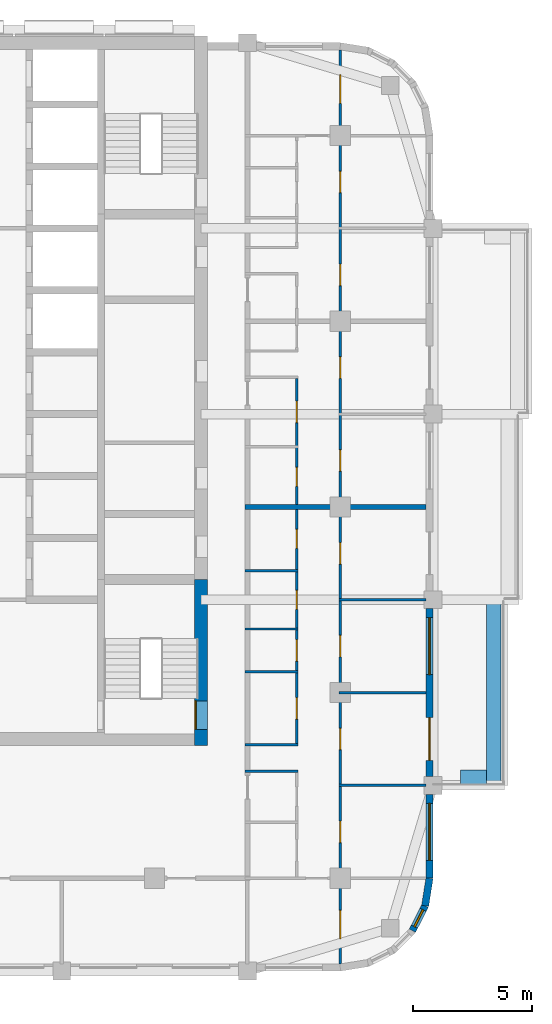
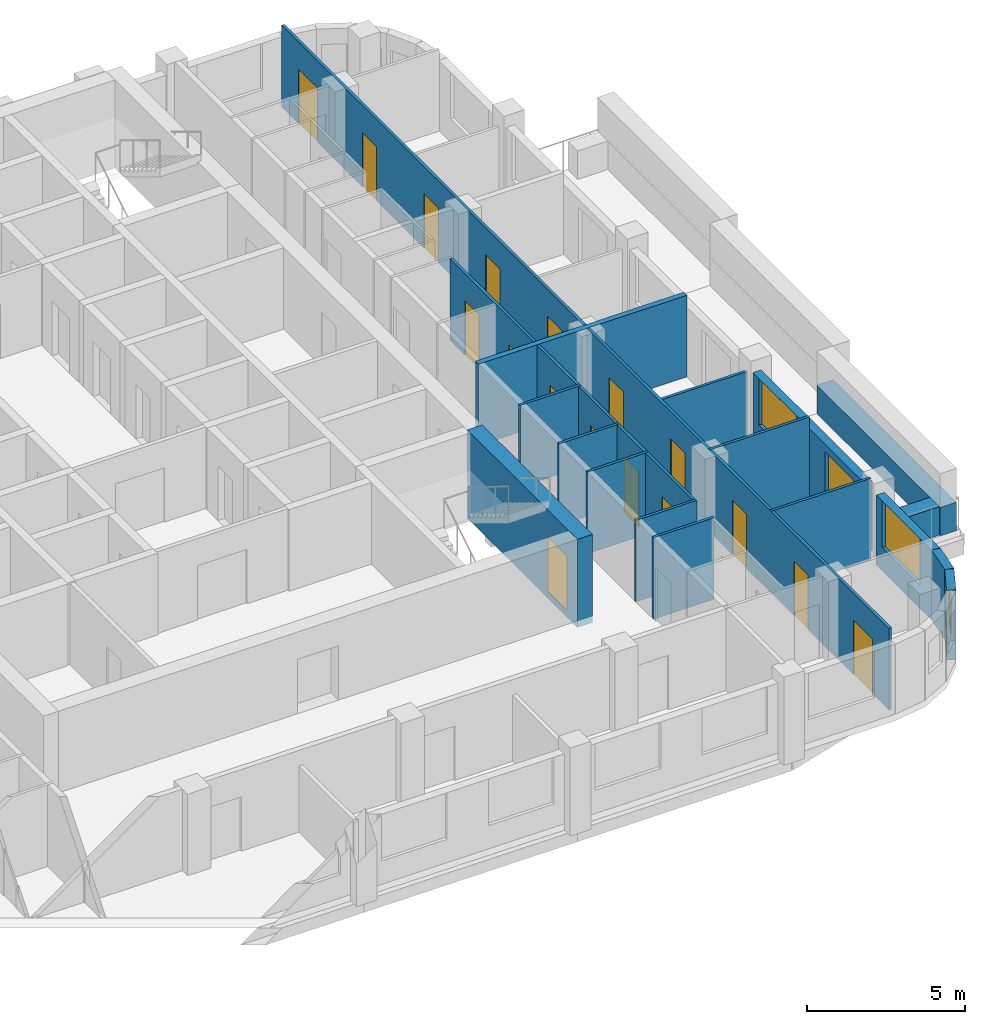
# One storey, part 6 of 13: 18 doors, 18 walls, 3 windows, 21 openings.
"""IFC4 building model written with IfcOpenShell, lengths in metres."""

import ifcopenshell
import ifcopenshell.guid

model = None  # the IFC model being written
_history = None  # IfcOwnerHistory: only IFC2X3 demands one
_inside = {}  # id of a spatial element -> (the spatial element, [elements in it])
_under = {}  # id of a project, library or spatial element -> (it, [spatial elements below it])
_declared = {}  # id of a project -> (the project, [libraries it declares])
_typed = {}  # id of a type object -> (the type object, [elements of that type])
_made_of = {}  # id of a material, layer set ... -> (it, [elements and type objects made of it])


def new_model(schema):
    """Start an empty IFC model of exactly this schema.

    Asked for "IFC4X3", IfcOpenShell would pick the latest addendum, in which some entities
    have other attributes; the version numbers below select the first issue.
    IFC2X3 requires an IfcOwnerHistory on every rooted entity: one is made here for all.
    """
    global model, _history
    if schema == "IFC4X3":
        model = ifcopenshell.file(schema_version=(4, 3, 0, 0))
    else:
        model = ifcopenshell.file(schema=schema)
    _inside.clear()
    _under.clear()
    _declared.clear()
    _typed.clear()
    _made_of.clear()
    _history = None
    if model.schema == "IFC2X3":
        org = make("IfcOrganization", Name="unknown")
        user = make(
            "IfcPersonAndOrganization",
            ThePerson=make("IfcPerson", FamilyName="unknown"),
            TheOrganization=org,
        )
        app = make(
            "IfcApplication",
            ApplicationDeveloper=org,
            Version="unknown",
            ApplicationFullName="unknown",
            ApplicationIdentifier="unknown",
        )
        _history = make(
            "IfcOwnerHistory",
            OwningUser=user,
            OwningApplication=app,
            ChangeAction="ADDED",
            CreationDate=0,
        )
    return model


def make(cls, **values):
    """One entity of the class cls with the attributes given. An attribute that is None is left unset."""
    return model.create_entity(
        cls, **{name: value for name, value in values.items() if value is not None}
    )


def rooted(cls, **values):
    """An entity with a GlobalId (a new one), such as an element, a storey or a relation."""
    return make(cls, GlobalId=ifcopenshell.guid.new(), OwnerHistory=_history, **values)


def si_unit(unit_type, name, prefix=None):
    """IfcSIUnit, for example si_unit("LENGTHUNIT", "METRE", prefix="MILLI")."""
    return make("IfcSIUnit", UnitType=unit_type, Prefix=prefix, Name=name)


def assignment(units):
    """IfcUnitAssignment: the units of a project."""
    return None if units is None else make("IfcUnitAssignment", Units=units)


def point(xyz):
    """IfcCartesianPoint."""
    return None if xyz is None else make("IfcCartesianPoint", Coordinates=xyz)


def direction(xyz):
    """IfcDirection."""
    return None if xyz is None else make("IfcDirection", DirectionRatios=xyz)


def frame(location, z_axis=None, x_axis=None):
    """IfcAxis2Placement3D, a coordinate frame: its origin and axes. An axis left out is left unset."""
    return make(
        "IfcAxis2Placement3D",
        Location=point(location),
        Axis=direction(z_axis),
        RefDirection=direction(x_axis),
    )


def frame_2d(location, x_axis=None):
    """IfcAxis2Placement2D, a coordinate frame in the plane: its origin and x axis."""
    return make(
        "IfcAxis2Placement2D", Location=point(location), RefDirection=direction(x_axis)
    )


def origin():
    """The frame at (0, 0, 0) with its axes left unset."""
    return frame((0.0, 0.0, 0.0))


def place(relative_to, where):
    """IfcLocalPlacement: puts the frame where relative to a parent placement (None: the world)."""
    return make(
        "IfcLocalPlacement", PlacementRelTo=relative_to, RelativePlacement=where
    )


def context(
    kind, dimensions, precision=None, world=None, true_north=None, identifier=None
):
    """IfcGeometricRepresentationContext, for example the 3D "Model" context."""
    return make(
        "IfcGeometricRepresentationContext",
        ContextIdentifier=identifier,
        ContextType=kind,
        CoordinateSpaceDimension=dimensions,
        Precision=precision,
        WorldCoordinateSystem=world,
        TrueNorth=true_north,
    )


def subcontext(parent, identifier, kind, view, scale=None):
    """IfcGeometricRepresentationSubContext, for example "Body" below "Model"."""
    return make(
        "IfcGeometricRepresentationSubContext",
        ContextIdentifier=identifier,
        ContextType=kind,
        ParentContext=parent,
        TargetScale=scale,
        TargetView=view,
    )


def project(units=None, contexts=None):
    """IfcProject with its units and contexts."""
    return rooted(
        "IfcProject",
        Name="project",
        RepresentationContexts=contexts,
        UnitsInContext=assignment(units),
    )


def spatial(cls, under=None, at=None, **own):
    """A site, building, storey or space (cls), placed at a placement, below another one or the project."""
    s = rooted(cls, ObjectPlacement=at, **own)
    if under is not None:
        _under.setdefault(under.id(), (under, []))[1].append(s)
    return s


def profile(cls, at=None, kind="AREA", **sizes):
    """A parametric profile (cls). Its sizes go by their IFC names, for example OverallWidth=200.0."""
    return make(cls, ProfileType=kind, Position=at, **sizes)


def rectangle(**sizes):
    """IfcRectangleProfileDef."""
    return profile("IfcRectangleProfileDef", **sizes)


def extrude(swept, where, along, depth):
    """IfcExtrudedAreaSolid: the profile swept, set in the frame where, extruded along a direction by depth."""
    return make(
        "IfcExtrudedAreaSolid",
        SweptArea=swept,
        Position=where,
        ExtrudedDirection=direction(along),
        Depth=depth,
    )


def shape(context_of_items, identifier, shape_type, items):
    """IfcShapeRepresentation: the items that make up one representation, for example the "Body"."""
    return make(
        "IfcShapeRepresentation",
        ContextOfItems=context_of_items,
        RepresentationIdentifier=identifier,
        RepresentationType=shape_type,
        Items=items,
    )


def material(Name=None, Category=None):
    """IfcMaterial."""
    return make("IfcMaterial", Name=Name, Category=Category)


def layer(
    of_material, thickness, ventilated=None, Name=None, Category=None, Priority=None
):
    """IfcMaterialLayer: one layer of a wall or slab, of a material (None: an air gap)."""
    return make(
        "IfcMaterialLayer",
        Material=of_material,
        LayerThickness=thickness,
        IsVentilated=ventilated,
        Name=Name,
        Category=Category,
        Priority=Priority,
    )


def layer_set(layers, Name=None):
    """IfcMaterialLayerSet."""
    return make("IfcMaterialLayerSet", MaterialLayers=layers, LayerSetName=Name)


def made_of(thing, what):
    """Note that an element or type object is made of a material, layer set ...; save() writes the relation."""
    if what is not None:
        _made_of.setdefault(what.id(), (what, []))[1].append(thing)
    return thing


def type_object(cls, material=None, **own):
    """A type object (cls), such as IfcWallType, which elements share."""
    return made_of(rooted(cls, **own), material)


def element(
    cls,
    number,
    at=None,
    inside=None,
    cuts=None,
    type_object=None,
    material=None,
    context=None,
    identifier="Body",
    shape_type=None,
    held_by="IfcProductDefinitionShape",
    body=None,
    shapes=None,
    **own,
):
    """One element of the class cls, such as IfcWall. Its Tag is "e" and its number.

    at: its placement. inside: the storey or other place that contains it. cuts: it is an
    opening in that element (IfcRelVoidsElement). A single representation is given by context,
    identifier, shape_type and body (its items); several are given by shapes. held_by: the class
    of the entity that holds the representations. save() writes the other relations.
    """
    e = rooted(cls, Tag="e%d" % number, ObjectPlacement=at, **own)
    if body is not None:
        shapes = [shape(context, identifier, shape_type, body)]
    if shapes is not None:
        e.Representation = make(held_by, Representations=shapes)
    if inside is not None:
        _inside.setdefault(inside.id(), (inside, []))[1].append(e)
    if cuts is not None:
        rooted(
            "IfcRelVoidsElement", RelatingBuildingElement=cuts, RelatedOpeningElement=e
        )
    if type_object is not None:
        _typed.setdefault(type_object.id(), (type_object, []))[1].append(e)
    return made_of(e, material)


def fill(opening, filler):
    """IfcRelFillsElement: the door or window that sits in an opening."""
    return rooted(
        "IfcRelFillsElement",
        RelatingOpeningElement=opening,
        RelatedBuildingElement=filler,
    )


def aggregate(whole, parts):
    """IfcRelAggregates: a whole, such as a stair, and the parts it consists of."""
    return rooted("IfcRelAggregates", RelatingObject=whole, RelatedObjects=parts)


def save(model, path):
    """Write the relations noted so far, then the file.

    IfcRelAggregates (storeys below a building ...), IfcRelContainedInSpatialStructure (elements
    in a storey), IfcRelDefinesByType, IfcRelAssociatesMaterial and IfcRelDeclares: one each for
    every whole, place, type object, material and project.
    """
    for whole, parts in _under.values():
        aggregate(whole, parts)
    for where, things in _inside.values():
        rooted(
            "IfcRelContainedInSpatialStructure",
            RelatedElements=things,
            RelatingStructure=where,
        )
    for kind, things in _typed.values():
        rooted("IfcRelDefinesByType", RelatedObjects=things, RelatingType=kind)
    for what, things in _made_of.values():
        rooted("IfcRelAssociatesMaterial", RelatedObjects=things, RelatingMaterial=what)
    for by, libraries in _declared.values():
        rooted("IfcRelDeclares", RelatingContext=by, RelatedDefinitions=libraries)
    model.write(path)


model = new_model("IFC4")

# Units and contexts
model_context = context("Model", 3, precision=1e-05, world=origin(), true_north=direction((0.0, 1.0)))
body_context = subcontext(model_context, "Body", "Model", "MODEL_VIEW")
ifc_project = project(units=[si_unit("LENGTHUNIT", "METRE"), si_unit("AREAUNIT", "SQUARE_METRE"), si_unit("VOLUMEUNIT", "CUBIC_METRE"), si_unit("PLANEANGLEUNIT", "RADIAN"), si_unit("MASSUNIT", "GRAM", prefix="KILO")], contexts=[model_context])

# Site, building, storey
site_placement = place(None, origin())
site = spatial("IfcSite", under=ifc_project, at=site_placement, CompositionType="ELEMENT")
building_placement = place(site_placement, origin())
building = spatial("IfcBuilding", under=site, at=building_placement, Name="Ludao Terraces", CompositionType="ELEMENT")
storey_placement = place(building_placement, frame((0.0, 0.0, 155.39990234375)))
storey = spatial("IfcBuildingStorey", under=building, at=storey_placement, Name="L42", CompositionType="ELEMENT", Elevation=155.39990234375)

# Wall, opening, door
ifc_material_1 = material(Name="Concrete C60", Category="concrete")
ifc_layer_1 = layer(ifc_material_1, 0.550048828125)
ifc_layer_set_1 = layer_set([ifc_layer_1], Name="Core wall 550 C60")
wall_type_1 = type_object("IfcWallType", Name="Core wall 550 C60", PredefinedType="SOLIDWALL", material=ifc_layer_set_1)
wall_1_placement = place(storey_placement, frame((94.75, 54.97509765625, -0.25), z_axis=(0.0, 0.0, 1.0), x_axis=(0.0, 1.0, 0.0)))
wall_1 = element("IfcWall", 1, at=wall_1_placement, inside=storey, type_object=wall_type_1, Name="Core wall L42 outer-E-S3", PredefinedType="SOLIDWALL", context=body_context, shape_type="SweptSolid", body=[
    extrude(rectangle(XDim=6.974853515625, YDim=0.550048828125, at=frame_2d((3.4873046875, 0.0))), origin(), (0.0, 0.0, 1.0), 3.400146484375),
])
opening_1_placement = place(wall_1_placement, frame((0.675048828125, 0.0, 0.25)))
opening_1 = element("IfcOpeningElement", 2, at=opening_1_placement, cuts=wall_1, Name="Opening R14-019", PredefinedType="OPENING", context=body_context, shape_type="SweptSolid", body=[
    extrude(rectangle(XDim=1.199951171875, YDim=2.10009765625, at=frame_2d((0.60009765625, 1.050048828125))), frame((0.0, 0.28515625, 0.0), z_axis=(0.0, -1.0, 0.0), x_axis=(1.0, 0.0, 0.0)), (0.0, 0.0, 1.0), 0.570068359375),
])
ifc_material_2 = material(Name="Steel Q235", Category="steel")
door_type_1 = type_object("IfcDoorType", Name="INT Stair door 1200", OperationType="DOUBLE_DOOR_SINGLE_SWING", PredefinedType="DOOR", material=ifc_material_2)
door_1_placement = place(opening_1_placement, origin())
door_1 = element("IfcDoor", 3, at=door_1_placement, inside=storey, type_object=door_type_1, Name="DOOR 019", OperationType="DOUBLE_DOOR_SINGLE_SWING", OverallHeight=2.10009765625, OverallWidth=1.199951171875, PredefinedType="DOOR", context=body_context, shape_type="SweptSolid", body=[
    extrude(rectangle(XDim=1.199951171875, YDim=2.10009765625, at=frame_2d((0.60009765625, 1.050048828125))), frame((0.0, 0.26025390625, 0.0), z_axis=(0.0, -1.0, 0.0), x_axis=(1.0, 0.0, 0.0)), (0.0, 0.0, 1.0), 0.050048828125),
])
fill(opening_1, door_1)

# Walls
ifc_material_3 = material(Name="Concrete C40", Category="concrete")
ifc_layer_2 = layer(ifc_material_3, 0.60009765625)
ifc_layer_set_2 = layer_set([ifc_layer_2], Name="ENV Planter trough 600")
wall_type_2 = type_object("IfcWallType", Name="ENV Planter trough 600", PredefinedType="USERDEFINED", material=ifc_layer_set_2)
wall_2_placement = place(storey_placement, frame((107.050048828125, 53.300048828125, 0.0), z_axis=(0.0, 0.0, 1.0), x_axis=(0.0, 1.0, 0.0)))
element("IfcWall", 4, at=wall_2_placement, inside=storey, type_object=wall_type_2, Name="PL-L42-E1", ObjectType="PLANTER", PredefinedType="USERDEFINED", context=body_context, shape_type="SweptSolid", body=[
    extrude(rectangle(XDim=7.800048828125, YDim=0.60009765625, at=frame_2d((3.89990234375, 0.0))), origin(), (0.0, 0.0, 1.0), 1.10009765625),
])
wall_3_placement = place(storey_placement, frame((106.75, 53.64990234375, 0.0), z_axis=(0.0, 0.0, 1.0), x_axis=(-1.0, 0.0, 0.0)))
element("IfcWall", 5, at=wall_3_placement, inside=storey, type_object=wall_type_2, Name="PL-L42-E1-SA", ObjectType="PLANTER", PredefinedType="USERDEFINED", context=body_context, shape_type="SweptSolid", body=[
    extrude(rectangle(XDim=1.10009765625, YDim=0.60009765625, at=frame_2d((0.550048828125, 0.0))), origin(), (0.0, 0.0, 1.0), 1.10009765625),
])

# Wall, opening, window
ifc_material_4 = material(Name="Granite cladding", Category="masonry")
ifc_layer_3 = layer(ifc_material_4, 0.0400390625, Category="stone")
ifc_material_5 = material(Name="Mineral wool")
ifc_layer_4 = layer(ifc_material_5, 0.06005859375)
ifc_layer_5 = layer(ifc_material_3, 0.199951171875, Category="concrete")
ifc_layer_set_3 = layer_set([ifc_layer_3, ifc_layer_4, ifc_layer_5], Name="ENV Stone-clad wall 300")
wall_type_3 = type_object("IfcWallType", Name="ENV Stone-clad wall 300", PredefinedType="SOLIDWALL", material=ifc_layer_set_3)
wall_4_placement = place(storey_placement, frame((104.35009765625, 49.39990234375, 0.0), z_axis=(0.0, 0.0, 1.0), x_axis=(0.0, 1.0, 0.0)))
wall_4 = element("IfcWall", 6, at=wall_4_placement, inside=storey, type_object=wall_type_3, Name="EW-L42-E1", PredefinedType="SOLIDWALL", context=body_context, shape_type="SweptSolid", body=[
    extrude(rectangle(XDim=3.525146484375, YDim=0.300048828125, at=frame_2d((1.7626953125, 0.0))), origin(), (0.0, 0.0, 1.0), 2.7001953125),
])
opening_2_placement = place(wall_4_placement, frame((0.75, 0.0, 0.89990234375)))
opening_2 = element("IfcOpeningElement", 7, at=opening_2_placement, cuts=wall_4, Name="Opening W1", PredefinedType="OPENING", context=body_context, shape_type="SweptSolid", body=[
    extrude(rectangle(XDim=2.39990234375, YDim=1.800048828125, at=frame_2d((1.199951171875, 0.89990234375))), frame((0.0, 0.16015625, 0.0), z_axis=(0.0, -1.0, 0.0), x_axis=(1.0, 0.0, 0.0)), (0.0, 0.0, 1.0), 0.320068359375),
])
ifc_material_6 = material(Name="Clear glass in aluminium frame", Category="aluminium")
ifc_layer_6 = layer(ifc_material_6, 0.06005859375)
ifc_layer_set_4 = layer_set([ifc_layer_6], Name="ENV Window W1 2400x1800")
window_type_1 = type_object("IfcWindowType", Name="ENV Window W1 2400x1800", PartitioningType="DOUBLE_PANEL_VERTICAL", PredefinedType="WINDOW", material=ifc_layer_set_4)
window_1_placement = place(opening_2_placement, origin())
window_1 = element("IfcWindow", 8, at=window_1_placement, inside=storey, type_object=window_type_1, Name="W-L42-E1-1", OverallHeight=1.800048828125, OverallWidth=2.39990234375, PartitioningType="DOUBLE_PANEL_VERTICAL", PredefinedType="WINDOW", context=body_context, shape_type="SweptSolid", body=[
    extrude(rectangle(XDim=2.39990234375, YDim=1.800048828125, at=frame_2d((1.199951171875, 0.89990234375))), frame((0.0, 0.030029296875, 0.0), z_axis=(0.0, -1.0, 0.0), x_axis=(1.0, 0.0, 0.0)), (0.0, 0.0, 1.0), 0.06005859375),
])
fill(opening_2, window_1)

# Wall, openings, door, window
wall_5_placement = place(storey_placement, frame((104.35009765625, 53.675048828125, 0.0), z_axis=(0.0, 0.0, 1.0), x_axis=(0.0, 1.0, 0.0)))
wall_5 = element("IfcWall", 9, at=wall_5_placement, inside=storey, type_object=wall_type_3, Name="EW-L42-E2", PredefinedType="SOLIDWALL", context=body_context, shape_type="SweptSolid", body=[
    extrude(rectangle(XDim=7.050048828125, YDim=0.300048828125, at=frame_2d((3.52490234375, 0.0))), origin(), (0.0, 0.0, 1.0), 2.7001953125),
])
opening_3_placement = place(wall_5_placement, frame((0.675048828125, 0.0, 0.0)))
opening_3 = element("IfcOpeningElement", 10, at=opening_3_placement, cuts=wall_5, Name="Opening BD", PredefinedType="OPENING", context=body_context, shape_type="SweptSolid", body=[
    extrude(rectangle(XDim=1.800048828125, YDim=2.39990234375, at=frame_2d((0.89990234375, 1.199951171875))), frame((0.0, 0.16015625, 0.0), z_axis=(0.0, -1.0, 0.0), x_axis=(1.0, 0.0, 0.0)), (0.0, 0.0, 1.0), 0.320068359375),
])
opening_4_placement = place(wall_5_placement, frame((4.27490234375, 0.0, 0.89990234375)))
opening_4 = element("IfcOpeningElement", 11, at=opening_4_placement, cuts=wall_5, Name="Opening W1", PredefinedType="OPENING", context=body_context, shape_type="SweptSolid", body=[
    extrude(rectangle(XDim=2.39990234375, YDim=1.800048828125, at=frame_2d((1.199951171875, 0.89990234375))), frame((0.0, 0.16015625, 0.0), z_axis=(0.0, -1.0, 0.0), x_axis=(1.0, 0.0, 0.0)), (0.0, 0.0, 1.0), 0.320068359375),
])
ifc_material_7 = material(Name="Aluminium glazed door", Category="aluminium")
ifc_layer_7 = layer(ifc_material_7, 0.06005859375)
ifc_layer_set_5 = layer_set([ifc_layer_7], Name="ENV Balcony door BD 1800x2400")
door_type_2 = type_object("IfcDoorType", Name="ENV Balcony door BD 1800x2400", OperationType="DOUBLE_DOOR_SINGLE_SWING", PredefinedType="DOOR", material=ifc_layer_set_5)
door_2_placement = place(opening_3_placement, origin())
door_2 = element("IfcDoor", 12, at=door_2_placement, inside=storey, type_object=door_type_2, Name="BD-L42-E2-1", OperationType="DOUBLE_DOOR_SINGLE_SWING", OverallHeight=2.39990234375, OverallWidth=1.800048828125, PredefinedType="DOOR", context=body_context, shape_type="SweptSolid", body=[
    extrude(rectangle(XDim=1.800048828125, YDim=2.39990234375, at=frame_2d((0.89990234375, 1.199951171875))), frame((0.0, 0.02490234375, 0.0), z_axis=(0.0, -1.0, 0.0), x_axis=(1.0, 0.0, 0.0)), (0.0, 0.0, 1.0), 0.050048828125),
])
fill(opening_3, door_2)
window_2_placement = place(opening_4_placement, origin())
window_2 = element("IfcWindow", 13, at=window_2_placement, inside=storey, type_object=window_type_1, Name="W-L42-E2-2", OverallHeight=1.800048828125, OverallWidth=2.39990234375, PartitioningType="DOUBLE_PANEL_VERTICAL", PredefinedType="WINDOW", context=body_context, shape_type="SweptSolid", body=[
    extrude(rectangle(XDim=2.39990234375, YDim=1.800048828125, at=frame_2d((1.199951171875, 0.89990234375))), frame((0.0, 0.030029296875, 0.0), z_axis=(0.0, -1.0, 0.0), x_axis=(1.0, 0.0, 0.0)), (0.0, 0.0, 1.0), 0.06005859375),
])
fill(opening_4, window_2)

# Wall, opening, window
wall_6_placement = place(storey_placement, frame((103.6337890625, 47.19580078125, 0.0), z_axis=(0.0, 0.0, 1.0), x_axis=(0.454025524128, 0.890988677504, 0.0)))
wall_6 = element("IfcWall", 14, at=wall_6_placement, inside=storey, type_object=wall_type_3, Name="EW-L42-SE4", PredefinedType="SOLIDWALL", context=body_context, shape_type="SweptSolid", body=[
    extrude(rectangle(XDim=1.17333984375, YDim=0.300048828125, at=frame_2d((0.586669921875, 0.0))), origin(), (0.0, 0.0, 1.0), 2.7001953125),
])
opening_5_placement = place(wall_6_placement, frame((0.1865234375, 0.0, 0.89990234375)))
opening_5 = element("IfcOpeningElement", 15, at=opening_5_placement, cuts=wall_6, Name="Opening W3", PredefinedType="OPENING", context=body_context, shape_type="SweptSolid", body=[
    extrude(rectangle(XDim=0.800048828125, YDim=1.199951171875, at=frame_2d((0.39990234375, 0.60009765625))), frame((0.0, 0.16015625, 0.0), z_axis=(0.0, -1.0, 0.0), x_axis=(1.0, 0.0, 0.0)), (0.0, 0.0, 1.0), 0.320068359375),
])
ifc_layer_8 = layer(ifc_material_6, 0.06005859375)
ifc_layer_set_6 = layer_set([ifc_layer_8], Name="ENV Window W3 800x1200")
window_type_2 = type_object("IfcWindowType", Name="ENV Window W3 800x1200", PartitioningType="SINGLE_PANEL", PredefinedType="WINDOW", material=ifc_layer_set_6)
window_3_placement = place(opening_5_placement, origin())
window_3 = element("IfcWindow", 16, at=window_3_placement, inside=storey, type_object=window_type_2, Name="W-L42-SE4", OverallHeight=1.199951171875, OverallWidth=0.800048828125, PartitioningType="SINGLE_PANEL", PredefinedType="WINDOW", context=body_context, shape_type="SweptSolid", body=[
    extrude(rectangle(XDim=0.800048828125, YDim=1.199951171875, at=frame_2d((0.39990234375, 0.60009765625))), frame((0.0, 0.030029296875, 0.0), z_axis=(0.0, -1.0, 0.0), x_axis=(1.0, 0.0, 0.0)), (0.0, 0.0, 1.0), 0.06005859375),
])
fill(opening_5, window_3)

# Walls
wall_7_placement = place(storey_placement, frame((104.16650390625, 48.2412109375, 0.0), z_axis=(0.0, 0.0, 1.0), x_axis=(0.156496880861, 0.987678452879, 0.0)))
element("IfcWall", 17, at=wall_7_placement, inside=storey, type_object=wall_type_3, Name="EW-L42-SE5", PredefinedType="SOLIDWALL", context=body_context, shape_type="SweptSolid", body=[
    extrude(rectangle(XDim=1.173095703125, YDim=0.300048828125, at=frame_2d((0.58642578125, 0.0))), origin(), (0.0, 0.0, 1.0), 2.7001953125),
])
ifc_material_8 = material(Name="Gypsum plasterboard", Category="gypsum")
ifc_layer_9 = layer(ifc_material_8, 0.012451171875, Category="gypsum")
ifc_layer_10 = layer(ifc_material_5, 0.06005859375, Name="insulation")
ifc_layer_11 = layer(ifc_material_2, 0.014892578125, Name="stud")
ifc_layer_12 = layer(ifc_material_8, 0.012451171875, Category="gypsum")
ifc_layer_set_7 = layer_set([ifc_layer_9, ifc_layer_10, ifc_layer_11, ifc_layer_12], Name="INT Partition 100")
wall_type_4 = type_object("IfcWallType", Name="INT Partition 100", PredefinedType="PARTITIONING", material=ifc_layer_set_7)
wall_8_placement = place(storey_placement, frame((100.550048828125, 53.300048828125, 0.0), z_axis=(0.0, 0.0, 1.0), x_axis=(1.0, 0.0, 0.0)))
element("IfcWall", 18, at=wall_8_placement, inside=storey, type_object=wall_type_4, Name="PW-L42-PW005", PredefinedType="PARTITIONING", context=body_context, shape_type="SweptSolid", body=[
    extrude(rectangle(XDim=3.650146484375, YDim=0.10009765625, at=frame_2d((1.8251953125, 0.0))), origin(), (0.0, 0.0, 1.0), 3.150146484375),
])
for number, where, z_axis, x_axis, name in (
    (19, (96.60009765625, 53.89990234375, 0.0), (0.0, 0.0, 1.0), (1.0, 0.0, 0.0), "PW-L42-PW007"),
    (20, (96.60009765625, 55.0, 0.0), (0.0, 0.0, 1.0), (1.0, 0.0, 0.0), "PW-L42-PW008"),
):
    element("IfcWall", number, at=place(storey_placement, frame(where, z_axis=z_axis, x_axis=x_axis)), inside=storey, type_object=wall_type_4, Name=name, PredefinedType="PARTITIONING", context=body_context, shape_type="SweptSolid", body=[
        extrude(rectangle(XDim=2.219970703125, YDim=0.10009765625, at=frame_2d((1.10986328125, 0.0))), origin(), (0.0, 0.0, 1.0), 3.150146484375),
    ])
wall_9_placement = place(storey_placement, frame((100.550048828125, 57.199951171875, 0.0), z_axis=(0.0, 0.0, 1.0), x_axis=(1.0, 0.0, 0.0)))
element("IfcWall", 21, at=wall_9_placement, inside=storey, type_object=wall_type_4, Name="PW-L42-PW011", PredefinedType="PARTITIONING", context=body_context, shape_type="SweptSolid", body=[
    extrude(rectangle(XDim=3.650146484375, YDim=0.10009765625, at=frame_2d((1.8251953125, 0.0))), origin(), (0.0, 0.0, 1.0), 3.150146484375),
])
for number, where, z_axis, x_axis, name in (
    (22, (96.60009765625, 58.070068359375, 0.0), (0.0, 0.0, 1.0), (1.0, 0.0, 0.0), "PW-L42-PW012"),
    (23, (96.60009765625, 59.8701171875, 0.0), (0.0, 0.0, 1.0), (1.0, 0.0, 0.0), "PW-L42-PW015"),
):
    element("IfcWall", number, at=place(storey_placement, frame(where, z_axis=z_axis, x_axis=x_axis)), inside=storey, type_object=wall_type_4, Name=name, PredefinedType="PARTITIONING", context=body_context, shape_type="SweptSolid", body=[
        extrude(rectangle(XDim=2.219970703125, YDim=0.10009765625, at=frame_2d((1.10986328125, 0.0))), origin(), (0.0, 0.0, 1.0), 3.150146484375),
    ])
wall_10_placement = place(storey_placement, frame((100.550048828125, 61.10009765625, 0.0), z_axis=(0.0, 0.0, 1.0), x_axis=(1.0, 0.0, 0.0)))
element("IfcWall", 24, at=wall_10_placement, inside=storey, type_object=wall_type_4, Name="PW-L42-PW018", PredefinedType="PARTITIONING", context=body_context, shape_type="SweptSolid", body=[
    extrude(rectangle(XDim=3.650146484375, YDim=0.10009765625, at=frame_2d((1.8251953125, 0.0))), origin(), (0.0, 0.0, 1.0), 2.550048828125),
])
wall_11_placement = place(storey_placement, frame((96.60009765625, 62.320068359375, 0.0), z_axis=(0.0, 0.0, 1.0), x_axis=(1.0, 0.0, 0.0)))
element("IfcWall", 25, at=wall_11_placement, inside=storey, type_object=wall_type_4, Name="PW-L42-PW019", PredefinedType="PARTITIONING", context=body_context, shape_type="SweptSolid", body=[
    extrude(rectangle(XDim=2.219970703125, YDim=0.10009765625, at=frame_2d((1.10986328125, 0.0))), origin(), (0.0, 0.0, 1.0), 3.150146484375),
])

# Wall, openings, doors
wall_12_placement = place(storey_placement, frame((98.77001953125, 55.050048828125, 0.0), z_axis=(0.0, 0.0, 1.0), x_axis=(0.0, 1.0, 0.0)))
wall_12 = element("IfcWall", 26, at=wall_12_placement, inside=storey, type_object=wall_type_4, Name="PW-L42-PW061", PredefinedType="PARTITIONING", context=body_context, shape_type="SweptSolid", body=[
    extrude(rectangle(XDim=15.35009765625, YDim=0.10009765625, at=frame_2d((7.675048828125, 0.0))), origin(), (0.0, 0.0, 1.0), 3.150146484375),
])
opening_6_placement = place(wall_12_placement, frame((1.034912109375, 0.0, 0.0)))
opening_6 = element("IfcOpeningElement", 27, at=opening_6_placement, cuts=wall_12, Name="Opening R14-020", PredefinedType="OPENING", context=body_context, shape_type="SweptSolid", body=[
    extrude(rectangle(XDim=0.89990234375, YDim=2.10009765625, at=frame_2d((0.449951171875, 1.050048828125))), frame((0.0, 0.06005859375, 0.0), z_axis=(0.0, -1.0, 0.0), x_axis=(1.0, 0.0, 0.0)), (0.0, 0.0, 1.0), 0.1201171875),
])
opening_7_placement = place(wall_12_placement, frame((3.469970703125, 0.0, 0.0)))
opening_7 = element("IfcOpeningElement", 28, at=opening_7_placement, cuts=wall_12, Name="Opening R14-023", PredefinedType="OPENING", context=body_context, shape_type="SweptSolid", body=[
    extrude(rectangle(XDim=0.89990234375, YDim=2.10009765625, at=frame_2d((0.449951171875, 1.050048828125))), frame((0.0, 0.06005859375, 0.0), z_axis=(0.0, -1.0, 0.0), x_axis=(1.0, 0.0, 0.0)), (0.0, 0.0, 1.0), 0.1201171875),
])
opening_8_placement = place(wall_12_placement, frame((5.64501953125, 0.0, 0.0)))
opening_8 = element("IfcOpeningElement", 29, at=opening_8_placement, cuts=wall_12, Name="Opening R14-028", PredefinedType="OPENING", context=body_context, shape_type="SweptSolid", body=[
    extrude(rectangle(XDim=0.800048828125, YDim=2.10009765625, at=frame_2d((0.39990234375, 1.050048828125))), frame((0.0, 0.06005859375, 0.0), z_axis=(0.0, -1.0, 0.0), x_axis=(1.0, 0.0, 0.0)), (0.0, 0.0, 1.0), 0.1201171875),
])
opening_9_placement = place(wall_12_placement, frame((8.2099609375, 0.0, 0.0)))
opening_9 = element("IfcOpeningElement", 30, at=opening_9_placement, cuts=wall_12, Name="Opening R14-037", PredefinedType="OPENING", context=body_context, shape_type="SweptSolid", body=[
    extrude(rectangle(XDim=0.800048828125, YDim=2.10009765625, at=frame_2d((0.39990234375, 1.050048828125))), frame((0.0, 0.06005859375, 0.0), z_axis=(0.0, -1.0, 0.0), x_axis=(1.0, 0.0, 0.0)), (0.0, 0.0, 1.0), 0.1201171875),
])
opening_10_placement = place(wall_12_placement, frame((10.81494140625, 0.0, 0.0)))
opening_10 = element("IfcOpeningElement", 31, at=opening_10_placement, cuts=wall_12, Name="Opening R14-043", PredefinedType="OPENING", context=body_context, shape_type="SweptSolid", body=[
    extrude(rectangle(XDim=0.800048828125, YDim=2.10009765625, at=frame_2d((0.39990234375, 1.050048828125))), frame((0.0, 0.06005859375, 0.0), z_axis=(0.0, -1.0, 0.0), x_axis=(1.0, 0.0, 0.0)), (0.0, 0.0, 1.0), 0.1201171875),
])
opening_11_placement = place(wall_12_placement, frame((13.489990234375, 0.0, 0.0)))
opening_11 = element("IfcOpeningElement", 32, at=opening_11_placement, cuts=wall_12, Name="Opening R14-050", PredefinedType="OPENING", context=body_context, shape_type="SweptSolid", body=[
    extrude(rectangle(XDim=0.89990234375, YDim=2.10009765625, at=frame_2d((0.449951171875, 1.050048828125))), frame((0.0, 0.06005859375, 0.0), z_axis=(0.0, -1.0, 0.0), x_axis=(1.0, 0.0, 0.0)), (0.0, 0.0, 1.0), 0.1201171875),
])
ifc_material_9 = material(Name="Timber door leaf", Category="wood")
door_type_3 = type_object("IfcDoorType", Name="INT Bathroom door 900", OperationType="SINGLE_SWING_LEFT", PredefinedType="DOOR", material=ifc_material_9)
door_3_placement = place(opening_7_placement, origin())
door_3 = element("IfcDoor", 33, at=door_3_placement, inside=storey, type_object=door_type_3, Name="DOOR 023", OperationType="SINGLE_SWING_RIGHT", OverallHeight=2.10009765625, OverallWidth=0.89990234375, PredefinedType="DOOR", context=body_context, shape_type="SweptSolid", body=[
    extrude(rectangle(XDim=0.89990234375, YDim=2.10009765625, at=frame_2d((0.449951171875, 1.050048828125))), frame((0.0, 0.02490234375, 0.0), z_axis=(0.0, -1.0, 0.0), x_axis=(1.0, 0.0, 0.0)), (0.0, 0.0, 1.0), 0.050048828125),
])
fill(opening_7, door_3)
door_type_4 = type_object("IfcDoorType", Name="INT Room door 900", OperationType="SINGLE_SWING_LEFT", PredefinedType="DOOR", material=ifc_material_9)
door_4_placement = place(opening_6_placement, origin())
door_4 = element("IfcDoor", 34, at=door_4_placement, inside=storey, type_object=door_type_4, Name="DOOR 020", OperationType="SINGLE_SWING_RIGHT", OverallHeight=2.10009765625, OverallWidth=0.89990234375, PredefinedType="DOOR", context=body_context, shape_type="SweptSolid", body=[
    extrude(rectangle(XDim=0.89990234375, YDim=2.10009765625, at=frame_2d((0.449951171875, 1.050048828125))), frame((0.0, 0.02490234375, 0.0), z_axis=(0.0, -1.0, 0.0), x_axis=(1.0, 0.0, 0.0)), (0.0, 0.0, 1.0), 0.050048828125),
])
fill(opening_6, door_4)
door_5_placement = place(opening_11_placement, origin())
door_5 = element("IfcDoor", 35, at=door_5_placement, inside=storey, type_object=door_type_4, Name="DOOR 050", OperationType="SINGLE_SWING_LEFT", OverallHeight=2.10009765625, OverallWidth=0.89990234375, PredefinedType="DOOR", context=body_context, shape_type="SweptSolid", body=[
    extrude(rectangle(XDim=0.89990234375, YDim=2.10009765625, at=frame_2d((0.449951171875, 1.050048828125))), frame((0.0, 0.02490234375, 0.0), z_axis=(0.0, -1.0, 0.0), x_axis=(1.0, 0.0, 0.0)), (0.0, 0.0, 1.0), 0.050048828125),
])
fill(opening_11, door_5)
door_type_5 = type_object("IfcDoorType", Name="INT Store door 800", OperationType="SINGLE_SWING_LEFT", PredefinedType="DOOR", material=ifc_material_9)
door_6_placement = place(opening_8_placement, origin())
door_6 = element("IfcDoor", 36, at=door_6_placement, inside=storey, type_object=door_type_5, Name="DOOR 028", OperationType="SINGLE_SWING_RIGHT", OverallHeight=2.10009765625, OverallWidth=0.800048828125, PredefinedType="DOOR", context=body_context, shape_type="SweptSolid", body=[
    extrude(rectangle(XDim=0.800048828125, YDim=2.10009765625, at=frame_2d((0.39990234375, 1.050048828125))), frame((0.0, 0.02490234375, 0.0), z_axis=(0.0, -1.0, 0.0), x_axis=(1.0, 0.0, 0.0)), (0.0, 0.0, 1.0), 0.050048828125),
])
fill(opening_8, door_6)
door_7_placement = place(opening_9_placement, origin())
door_7 = element("IfcDoor", 37, at=door_7_placement, inside=storey, type_object=door_type_5, Name="DOOR 037", OperationType="SINGLE_SWING_LEFT", OverallHeight=2.10009765625, OverallWidth=0.800048828125, PredefinedType="DOOR", context=body_context, shape_type="SweptSolid", body=[
    extrude(rectangle(XDim=0.800048828125, YDim=2.10009765625, at=frame_2d((0.39990234375, 1.050048828125))), frame((0.0, 0.02490234375, 0.0), z_axis=(0.0, -1.0, 0.0), x_axis=(1.0, 0.0, 0.0)), (0.0, 0.0, 1.0), 0.050048828125),
])
fill(opening_9, door_7)
door_8_placement = place(opening_10_placement, origin())
door_8 = element("IfcDoor", 38, at=door_8_placement, inside=storey, type_object=door_type_5, Name="DOOR 043", OperationType="SINGLE_SWING_LEFT", OverallHeight=2.10009765625, OverallWidth=0.800048828125, PredefinedType="DOOR", context=body_context, shape_type="SweptSolid", body=[
    extrude(rectangle(XDim=0.800048828125, YDim=2.10009765625, at=frame_2d((0.39990234375, 1.050048828125))), frame((0.0, 0.02490234375, 0.0), z_axis=(0.0, -1.0, 0.0), x_axis=(1.0, 0.0, 0.0)), (0.0, 0.0, 1.0), 0.050048828125),
])
fill(opening_10, door_8)

wall_13_placement = place(storey_placement, frame((100.60009765625, 45.800048828125, 0.0), z_axis=(0.0, 0.0, 1.0), x_axis=(0.0, 1.0, 0.0)))
wall_13 = element("IfcWall", 39, at=wall_13_placement, inside=storey, type_object=wall_type_4, Name="PW-L42-PW064", PredefinedType="PARTITIONING", context=body_context, shape_type="SweptSolid", body=[
    extrude(rectangle(XDim=38.400146484375, YDim=0.10009765625, at=frame_2d((19.2001953125, 0.0))), origin(), (0.0, 0.0, 1.0), 3.150146484375),
])
opening_12_placement = place(wall_13_placement, frame((1.050048828125, 0.0, 0.0)))
opening_12 = element("IfcOpeningElement", 40, at=opening_12_placement, cuts=wall_13, Name="Opening R14-002", PredefinedType="OPENING", context=body_context, shape_type="SweptSolid", body=[
    extrude(rectangle(XDim=1.199951171875, YDim=2.10009765625, at=frame_2d((0.60009765625, 1.050048828125))), frame((0.0, 0.06005859375, 0.0), z_axis=(0.0, -1.0, 0.0), x_axis=(1.0, 0.0, 0.0)), (0.0, 0.0, 1.0), 0.1201171875),
])
opening_13_placement = place(wall_13_placement, frame((5.10009765625, 0.0, 0.0)))
opening_13 = element("IfcOpeningElement", 41, at=opening_13_placement, cuts=wall_13, Name="Opening R14-010", PredefinedType="OPENING", context=body_context, shape_type="SweptSolid", body=[
    extrude(rectangle(XDim=0.89990234375, YDim=2.10009765625, at=frame_2d((0.449951171875, 1.050048828125))), frame((0.0, 0.06005859375, 0.0), z_axis=(0.0, -1.0, 0.0), x_axis=(1.0, 0.0, 0.0)), (0.0, 0.0, 1.0), 0.1201171875),
])
opening_14_placement = place(wall_13_placement, frame((9.0, 0.0, 0.0)))
opening_14 = element("IfcOpeningElement", 42, at=opening_14_placement, cuts=wall_13, Name="Opening R14-017", PredefinedType="OPENING", context=body_context, shape_type="SweptSolid", body=[
    extrude(rectangle(XDim=0.89990234375, YDim=2.10009765625, at=frame_2d((0.449951171875, 1.050048828125))), frame((0.0, 0.06005859375, 0.0), z_axis=(0.0, -1.0, 0.0), x_axis=(1.0, 0.0, 0.0)), (0.0, 0.0, 1.0), 0.1201171875),
])
opening_15_placement = place(wall_13_placement, frame((12.89990234375, 0.0, 0.0)))
opening_15 = element("IfcOpeningElement", 43, at=opening_15_placement, cuts=wall_13, Name="Opening R14-025", PredefinedType="OPENING", context=body_context, shape_type="SweptSolid", body=[
    extrude(rectangle(XDim=0.89990234375, YDim=2.10009765625, at=frame_2d((0.449951171875, 1.050048828125))), frame((0.0, 0.06005859375, 0.0), z_axis=(0.0, -1.0, 0.0), x_axis=(1.0, 0.0, 0.0)), (0.0, 0.0, 1.0), 0.1201171875),
])
opening_16_placement = place(wall_13_placement, frame((16.800048828125, 0.0, 0.0)))
opening_16 = element("IfcOpeningElement", 44, at=opening_16_placement, cuts=wall_13, Name="Opening R14-035", PredefinedType="OPENING", context=body_context, shape_type="SweptSolid", body=[
    extrude(rectangle(XDim=0.89990234375, YDim=2.10009765625, at=frame_2d((0.449951171875, 1.050048828125))), frame((0.0, 0.06005859375, 0.0), z_axis=(0.0, -1.0, 0.0), x_axis=(1.0, 0.0, 0.0)), (0.0, 0.0, 1.0), 0.1201171875),
])
opening_17_placement = place(wall_13_placement, frame((20.699951171875, 0.0, 0.0)))
opening_17 = element("IfcOpeningElement", 45, at=opening_17_placement, cuts=wall_13, Name="Opening R14-046", PredefinedType="OPENING", context=body_context, shape_type="SweptSolid", body=[
    extrude(rectangle(XDim=0.89990234375, YDim=2.10009765625, at=frame_2d((0.449951171875, 1.050048828125))), frame((0.0, 0.06005859375, 0.0), z_axis=(0.0, -1.0, 0.0), x_axis=(1.0, 0.0, 0.0)), (0.0, 0.0, 1.0), 0.1201171875),
])
opening_18_placement = place(wall_13_placement, frame((24.60009765625, 0.0, 0.0)))
opening_18 = element("IfcOpeningElement", 46, at=opening_18_placement, cuts=wall_13, Name="Opening R14-057", PredefinedType="OPENING", context=body_context, shape_type="SweptSolid", body=[
    extrude(rectangle(XDim=0.89990234375, YDim=2.10009765625, at=frame_2d((0.449951171875, 1.050048828125))), frame((0.0, 0.06005859375, 0.0), z_axis=(0.0, -1.0, 0.0), x_axis=(1.0, 0.0, 0.0)), (0.0, 0.0, 1.0), 0.1201171875),
])
opening_19_placement = place(wall_13_placement, frame((28.5, 0.0, 0.0)))
opening_19 = element("IfcOpeningElement", 47, at=opening_19_placement, cuts=wall_13, Name="Opening R14-066", PredefinedType="OPENING", context=body_context, shape_type="SweptSolid", body=[
    extrude(rectangle(XDim=0.89990234375, YDim=2.10009765625, at=frame_2d((0.449951171875, 1.050048828125))), frame((0.0, 0.06005859375, 0.0), z_axis=(0.0, -1.0, 0.0), x_axis=(1.0, 0.0, 0.0)), (0.0, 0.0, 1.0), 0.1201171875),
])
opening_20_placement = place(wall_13_placement, frame((32.39990234375, 0.0, 0.0)))
opening_20 = element("IfcOpeningElement", 48, at=opening_20_placement, cuts=wall_13, Name="Opening R14-082", PredefinedType="OPENING", context=body_context, shape_type="SweptSolid", body=[
    extrude(rectangle(XDim=0.89990234375, YDim=2.10009765625, at=frame_2d((0.449951171875, 1.050048828125))), frame((0.0, 0.06005859375, 0.0), z_axis=(0.0, -1.0, 0.0), x_axis=(1.0, 0.0, 0.0)), (0.0, 0.0, 1.0), 0.1201171875),
])
opening_21_placement = place(wall_13_placement, frame((36.14990234375, 0.0, 0.0)))
opening_21 = element("IfcOpeningElement", 49, at=opening_21_placement, cuts=wall_13, Name="Opening R14-090", PredefinedType="OPENING", context=body_context, shape_type="SweptSolid", body=[
    extrude(rectangle(XDim=1.199951171875, YDim=2.10009765625, at=frame_2d((0.60009765625, 1.050048828125))), frame((0.0, 0.06005859375, 0.0), z_axis=(0.0, -1.0, 0.0), x_axis=(1.0, 0.0, 0.0)), (0.0, 0.0, 1.0), 0.1201171875),
])
door_type_6 = type_object("IfcDoorType", Name="INT Double door 1200", OperationType="DOUBLE_DOOR_SINGLE_SWING", PredefinedType="DOOR", material=ifc_material_9)
door_9_placement = place(opening_12_placement, origin())
door_9 = element("IfcDoor", 50, at=door_9_placement, inside=storey, type_object=door_type_6, Name="DOOR 002", OperationType="DOUBLE_DOOR_SINGLE_SWING", OverallHeight=2.10009765625, OverallWidth=1.199951171875, PredefinedType="DOOR", context=body_context, shape_type="SweptSolid", body=[
    extrude(rectangle(XDim=1.199951171875, YDim=2.10009765625, at=frame_2d((0.60009765625, 1.050048828125))), frame((0.0, 0.02490234375, 0.0), z_axis=(0.0, -1.0, 0.0), x_axis=(1.0, 0.0, 0.0)), (0.0, 0.0, 1.0), 0.050048828125),
])
fill(opening_12, door_9)
door_10_placement = place(opening_21_placement, origin())
door_10 = element("IfcDoor", 51, at=door_10_placement, inside=storey, type_object=door_type_6, Name="DOOR 090", OperationType="DOUBLE_DOOR_SINGLE_SWING", OverallHeight=2.10009765625, OverallWidth=1.199951171875, PredefinedType="DOOR", context=body_context, shape_type="SweptSolid", body=[
    extrude(rectangle(XDim=1.199951171875, YDim=2.10009765625, at=frame_2d((0.60009765625, 1.050048828125))), frame((0.0, 0.02490234375, 0.0), z_axis=(0.0, -1.0, 0.0), x_axis=(1.0, 0.0, 0.0)), (0.0, 0.0, 1.0), 0.050048828125),
])
fill(opening_21, door_10)
door_11_placement = place(opening_13_placement, origin())
door_11 = element("IfcDoor", 52, at=door_11_placement, inside=storey, type_object=door_type_4, Name="DOOR 010", OperationType="SINGLE_SWING_RIGHT", OverallHeight=2.10009765625, OverallWidth=0.89990234375, PredefinedType="DOOR", context=body_context, shape_type="SweptSolid", body=[
    extrude(rectangle(XDim=0.89990234375, YDim=2.10009765625, at=frame_2d((0.449951171875, 1.050048828125))), frame((0.0, 0.02490234375, 0.0), z_axis=(0.0, -1.0, 0.0), x_axis=(1.0, 0.0, 0.0)), (0.0, 0.0, 1.0), 0.050048828125),
])
fill(opening_13, door_11)
door_12_placement = place(opening_14_placement, origin())
door_12 = element("IfcDoor", 53, at=door_12_placement, inside=storey, type_object=door_type_4, Name="DOOR 017", OperationType="SINGLE_SWING_RIGHT", OverallHeight=2.10009765625, OverallWidth=0.89990234375, PredefinedType="DOOR", context=body_context, shape_type="SweptSolid", body=[
    extrude(rectangle(XDim=0.89990234375, YDim=2.10009765625, at=frame_2d((0.449951171875, 1.050048828125))), frame((0.0, 0.02490234375, 0.0), z_axis=(0.0, -1.0, 0.0), x_axis=(1.0, 0.0, 0.0)), (0.0, 0.0, 1.0), 0.050048828125),
])
fill(opening_14, door_12)
door_13_placement = place(opening_15_placement, origin())
door_13 = element("IfcDoor", 54, at=door_13_placement, inside=storey, type_object=door_type_4, Name="DOOR 025", OperationType="SINGLE_SWING_RIGHT", OverallHeight=2.10009765625, OverallWidth=0.89990234375, PredefinedType="DOOR", context=body_context, shape_type="SweptSolid", body=[
    extrude(rectangle(XDim=0.89990234375, YDim=2.10009765625, at=frame_2d((0.449951171875, 1.050048828125))), frame((0.0, 0.02490234375, 0.0), z_axis=(0.0, -1.0, 0.0), x_axis=(1.0, 0.0, 0.0)), (0.0, 0.0, 1.0), 0.050048828125),
])
fill(opening_15, door_13)
door_14_placement = place(opening_16_placement, origin())
door_14 = element("IfcDoor", 55, at=door_14_placement, inside=storey, type_object=door_type_4, Name="DOOR 035", OperationType="SINGLE_SWING_LEFT", OverallHeight=2.10009765625, OverallWidth=0.89990234375, PredefinedType="DOOR", context=body_context, shape_type="SweptSolid", body=[
    extrude(rectangle(XDim=0.89990234375, YDim=2.10009765625, at=frame_2d((0.449951171875, 1.050048828125))), frame((0.0, 0.02490234375, 0.0), z_axis=(0.0, -1.0, 0.0), x_axis=(1.0, 0.0, 0.0)), (0.0, 0.0, 1.0), 0.050048828125),
])
fill(opening_16, door_14)
door_15_placement = place(opening_17_placement, origin())
door_15 = element("IfcDoor", 56, at=door_15_placement, inside=storey, type_object=door_type_4, Name="DOOR 046", OperationType="SINGLE_SWING_LEFT", OverallHeight=2.10009765625, OverallWidth=0.89990234375, PredefinedType="DOOR", context=body_context, shape_type="SweptSolid", body=[
    extrude(rectangle(XDim=0.89990234375, YDim=2.10009765625, at=frame_2d((0.449951171875, 1.050048828125))), frame((0.0, 0.02490234375, 0.0), z_axis=(0.0, -1.0, 0.0), x_axis=(1.0, 0.0, 0.0)), (0.0, 0.0, 1.0), 0.050048828125),
])
fill(opening_17, door_15)
door_16_placement = place(opening_18_placement, origin())
door_16 = element("IfcDoor", 57, at=door_16_placement, inside=storey, type_object=door_type_4, Name="DOOR 057", OperationType="SINGLE_SWING_LEFT", OverallHeight=2.10009765625, OverallWidth=0.89990234375, PredefinedType="DOOR", context=body_context, shape_type="SweptSolid", body=[
    extrude(rectangle(XDim=0.89990234375, YDim=2.10009765625, at=frame_2d((0.449951171875, 1.050048828125))), frame((0.0, 0.02490234375, 0.0), z_axis=(0.0, -1.0, 0.0), x_axis=(1.0, 0.0, 0.0)), (0.0, 0.0, 1.0), 0.050048828125),
])
fill(opening_18, door_16)
door_17_placement = place(opening_19_placement, origin())
door_17 = element("IfcDoor", 58, at=door_17_placement, inside=storey, type_object=door_type_4, Name="DOOR 066", OperationType="SINGLE_SWING_LEFT", OverallHeight=2.10009765625, OverallWidth=0.89990234375, PredefinedType="DOOR", context=body_context, shape_type="SweptSolid", body=[
    extrude(rectangle(XDim=0.89990234375, YDim=2.10009765625, at=frame_2d((0.449951171875, 1.050048828125))), frame((0.0, 0.02490234375, 0.0), z_axis=(0.0, -1.0, 0.0), x_axis=(1.0, 0.0, 0.0)), (0.0, 0.0, 1.0), 0.050048828125),
])
fill(opening_19, door_17)
door_18_placement = place(opening_20_placement, origin())
door_18 = element("IfcDoor", 59, at=door_18_placement, inside=storey, type_object=door_type_4, Name="DOOR 082", OperationType="SINGLE_SWING_LEFT", OverallHeight=2.10009765625, OverallWidth=0.89990234375, PredefinedType="DOOR", context=body_context, shape_type="SweptSolid", body=[
    extrude(rectangle(XDim=0.89990234375, YDim=2.10009765625, at=frame_2d((0.449951171875, 1.050048828125))), frame((0.0, 0.02490234375, 0.0), z_axis=(0.0, -1.0, 0.0), x_axis=(1.0, 0.0, 0.0)), (0.0, 0.0, 1.0), 0.050048828125),
])
fill(opening_20, door_18)

# Wall
ifc_material_10 = material(Name="Autoclaved aerated concrete block B06 A3.5", Category="concrete")
ifc_layer_13 = layer(ifc_material_10, 0.199951171875)
ifc_layer_set_8 = layer_set([ifc_layer_13], Name="INT Party wall 200")
wall_type_5 = type_object("IfcWallType", Name="INT Party wall 200", PredefinedType="PARTITIONING", material=ifc_layer_set_8)
wall_14_placement = place(storey_placement, frame((96.60009765625, 65.0, 0.0), z_axis=(0.0, 0.0, 1.0), x_axis=(1.0, 0.0, 0.0)))
element("IfcWall", 60, at=wall_14_placement, inside=storey, type_object=wall_type_5, Name="PW-L42-PW023", PredefinedType="PARTITIONING", context=body_context, shape_type="SweptSolid", body=[
    extrude(rectangle(XDim=7.60009765625, YDim=0.199951171875, at=frame_2d((3.800048828125, 0.0))), origin(), (0.0, 0.0, 1.0), 3.150146484375),
])

save(model, "model.ifc")
